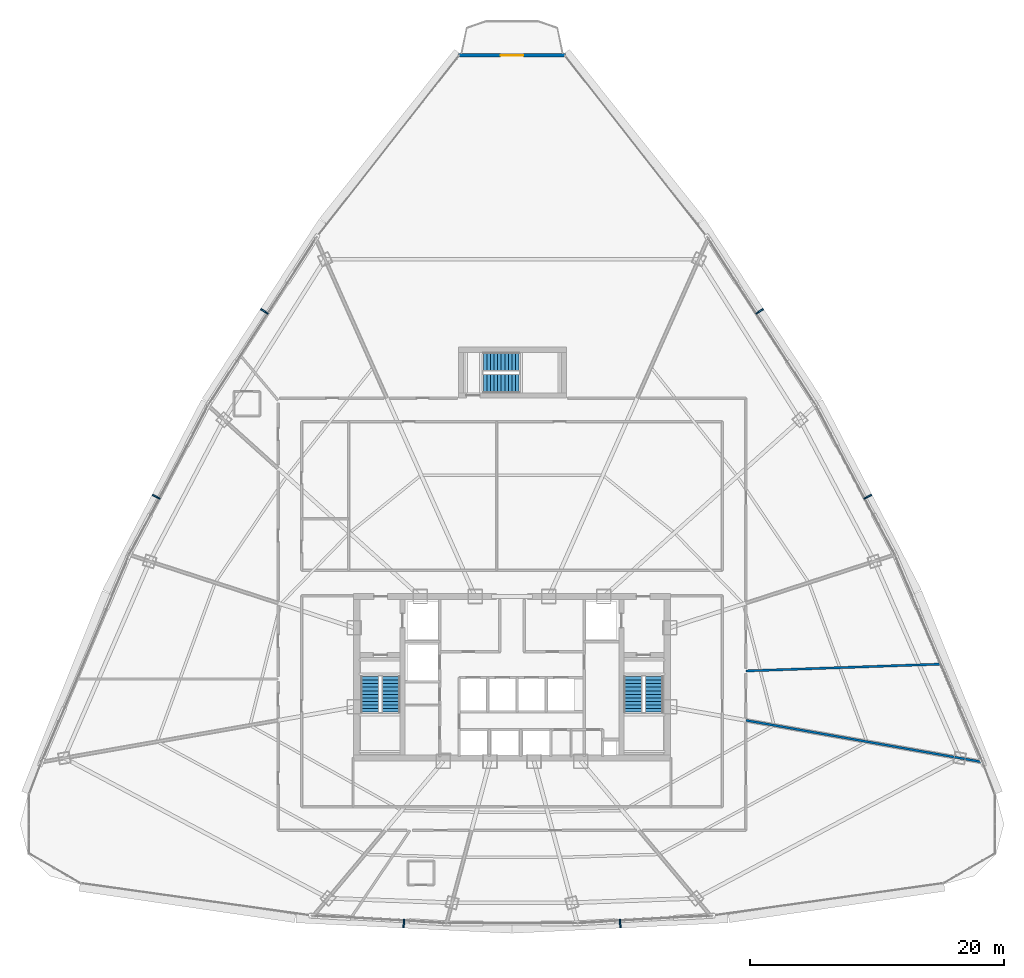
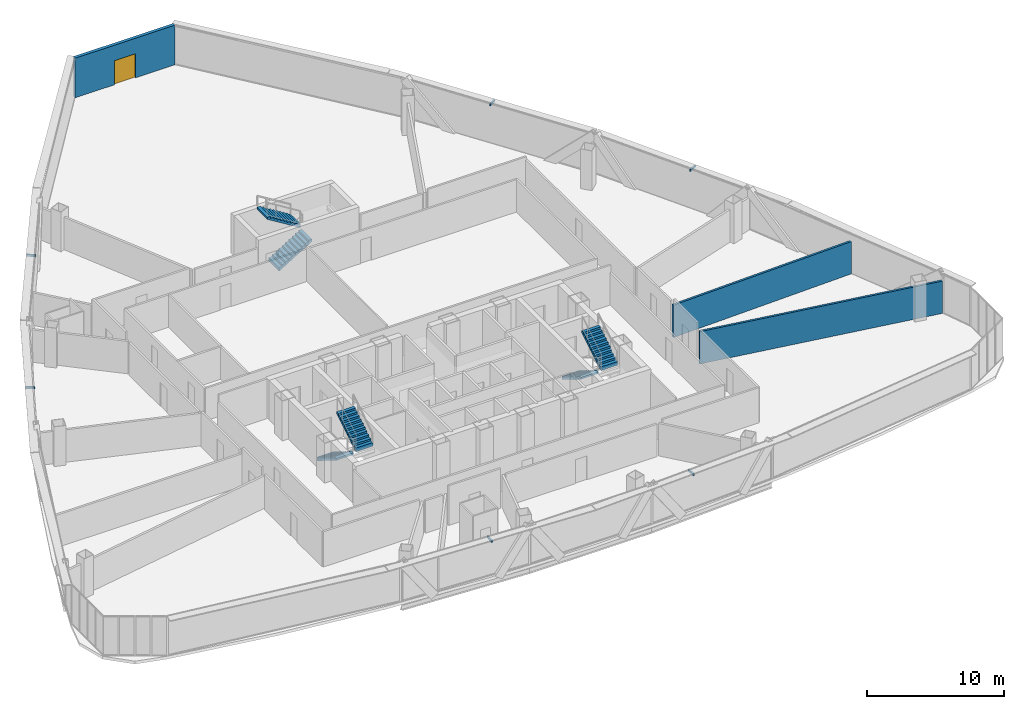
# One storey, part 34 of 38: 6 discrete accessories, 6 stair flights, 3 walls, 1 door, 1 opening, 3 elements without a shape of their own.
"""IFC4 building model written with IfcOpenShell, lengths in metres."""

from ifc_helpers import new_model, si_unit, direction, frame, frame_2d, origin, origin_with_axes, origin_2d, place, context, subcontext, project, spatial, polyline, rectangle, outline, extrude, source, transform, mapped, material, layer, layer_set, type_object, element, fill, aggregate, save


model = new_model("IFC4")

# Units and contexts
model_context = context("Model", 3, precision=1e-05, world=origin(), true_north=direction((0.0, 1.0)))
body_context = subcontext(model_context, "Body", "Model", "MODEL_VIEW")
ifc_project = project(units=[si_unit("LENGTHUNIT", "METRE"), si_unit("AREAUNIT", "SQUARE_METRE"), si_unit("VOLUMEUNIT", "CUBIC_METRE"), si_unit("PLANEANGLEUNIT", "RADIAN"), si_unit("MASSUNIT", "GRAM", prefix="KILO"), si_unit("THERMODYNAMICTEMPERATUREUNIT", "KELVIN"), si_unit("POWERUNIT", "WATT")], contexts=[model_context])

# Site, building, storey
site_placement = place(None, origin())
site = spatial("IfcSite", under=ifc_project, at=site_placement, CompositionType="ELEMENT")
building_placement = place(site_placement, origin())
building = spatial("IfcBuilding", under=site, at=building_placement, Name="Yunzhuo Pagoda Commons", CompositionType="ELEMENT")
storey_placement = place(building_placement, frame((0.0, 0.0, 203.760009765625)))
storey = spatial("IfcBuildingStorey", under=building, at=storey_placement, Name="L51", CompositionType="ELEMENT", Elevation=203.760009765625)

# Wall, opening, door
ifc_material_1 = material(Name="Precast concrete C40", Category="concrete")
ifc_layer_1 = layer(ifc_material_1, 0.260009765625)
ifc_layer_set_1 = layer_set([ifc_layer_1], Name="Precast concrete C40")
wall_type_1 = type_object("IfcWallType", Name="W-BAL1 Corner Balcony Threshold Wall 260", PredefinedType="STANDARD", material=ifc_layer_set_1)
wall_1_placement = place(storey_placement, frame((52.209716796875, 82.75244140625, 0.0), z_axis=(0.0, 0.0, 1.0), x_axis=(-1.0, 0.0, 0.0)))
wall_1 = element("IfcWall", 1, at=wall_1_placement, inside=storey, type_object=wall_type_1, Name="L51 corner balcony wall V3", PredefinedType="STANDARD", context=body_context, shape_type="SweptSolid", body=[
    extrude(rectangle(XDim=8.41943359375, YDim=0.260009765625, at=frame_2d((4.209716796875, 0.0))), origin(), (0.0, 0.0, 1.0), 3.5400390625),
])
opening_placement = place(wall_1_placement, frame((3.309814453125, 0.0, 0.0)))
opening = element("IfcOpeningElement", 2, at=opening_placement, cuts=wall_1, Name="Opening D-BAL1", PredefinedType="OPENING", context=body_context, shape_type="SweptSolid", body=[
    extrude(rectangle(XDim=1.800048828125, YDim=2.14990234375, at=frame_2d((0.89990234375, 1.074951171875))), frame((0.0, 0.14013671875, 0.0), z_axis=(0.0, -1.0, 0.0), x_axis=(1.0, 0.0, 0.0)), (0.0, 0.0, 1.0), 0.280029296875),
])
ifc_material_2 = material(Name="Anodized aluminium frame and tempered glazed leaf", Category="aluminium")
door_type = type_object("IfcDoorType", Name="D-BAL1 Corner Balcony Sliding Glazed Door 1800x2150", OperationType="DOUBLE_DOOR_SLIDING", PredefinedType="DOOR", material=ifc_material_2)
shared_shape_1 = source(origin(), body_context, "Body", "SweptSolid", [
    extrude(rectangle(XDim=1.800048828125, YDim=2.14990234375, at=frame_2d((0.89990234375, 1.074951171875))), frame((0.0, 0.02490234375, 0.0), z_axis=(0.0, -1.0, 0.0), x_axis=(1.0, 0.0, 0.0)), (0.0, 0.0, 1.0), 0.050048828125),
])
door_placement = place(opening_placement, origin_with_axes())
door = element("IfcDoor", 3, at=door_placement, inside=storey, type_object=door_type, Name="L51 corner balcony sliding door V3", OperationType="DOUBLE_DOOR_SLIDING", OverallHeight=2.14990234375, OverallWidth=1.800048828125, PredefinedType="DOOR", context=body_context, shape_type="MappedRepresentation", body=[
    mapped(shared_shape_1, transform((0.0, 0.0, 0.0), scale=1.0)),
])
fill(opening, door)

# Walls
ifc_material_3 = material(Name="Gypsum plasterboard on acoustic stud")
ifc_layer_2 = layer(ifc_material_3, 0.175048828125)
ifc_layer_set_2 = layer_set([ifc_layer_2], Name="Gypsum plasterboard on acoustic stud")
wall_type_2 = type_object("IfcWallType", Name="W-PRT3 Mid-Zone Demising Wall 175", PredefinedType="PARTITIONING", material=ifc_layer_set_2)
wall_2_placement = place(storey_placement, frame((66.39990234375, 34.342529296875, 0.0), z_axis=(0.0, 0.0, 1.0), x_axis=(0.999390706755, 0.034902940442, 0.0)))
element("IfcWall", 4, at=wall_2_placement, inside=storey, type_object=wall_type_2, Name="L51 interior wall IW-L51-RAD01", PredefinedType="PARTITIONING", context=body_context, shape_type="SweptSolid", body=[
    extrude(rectangle(XDim=15.360595703125, YDim=0.175048828125, at=frame_2d((7.68017578125, 0.0))), origin(), (0.0, 0.0, 1.0), 2.889892578125),
])
wall_3_placement = place(storey_placement, frame((66.39990234375, 30.45556640625, 0.0), z_axis=(0.0, 0.0, 1.0), x_axis=(0.984807864876, -0.173647543254, 0.0)))
element("IfcWall", 5, at=wall_3_placement, inside=storey, type_object=wall_type_2, Name="L51 interior wall IW-L51-RAD14", PredefinedType="PARTITIONING", context=body_context, shape_type="SweptSolid", body=[
    extrude(rectangle(XDim=18.901611328125, YDim=0.175048828125, at=frame_2d((9.45068359375, 0.0))), origin(), (0.0, 0.0, 1.0), 2.889892578125),
])

# Stair, stair flights
ifc_material_4 = material(Name="Concrete C40", Category="concrete")
stair_type_1 = type_object("IfcStairType", Name="ST-C1 Core Smokeproof Stair ST1", PredefinedType="HALF_TURN_STAIR", material=ifc_material_4)
stair_1_placement = place(storey_placement, origin())
stair_1 = element("IfcStair", 6, at=stair_1_placement, inside=storey, type_object=stair_type_1, Name="L51 Core smokeproof stair ST1", PredefinedType="HALF_TURN_STAIR")
stair_flight_type_1 = type_object("IfcStairFlightType", Name="STF-C1 Core Stair Flight 1450", PredefinedType="STRAIGHT", material=ifc_material_4)
shared_shape_2 = source(origin(), body_context, "Body", "SweptSolid", [
    extrude(outline(polyline([(0.0, -0.14990234375), (0.0, 0.0), (0.0, 0.172607421875), (0.280029296875, 0.172607421875), (0.280029296875, 0.345458984375), (0.56005859375, 0.345458984375), (0.56005859375, 0.51806640625), (0.840087890625, 0.51806640625), (0.840087890625, 0.69091796875), (1.1201171875, 0.69091796875), (1.1201171875, 0.863525390625), (1.39990234375, 0.863525390625), (1.39990234375, 1.036376953125), (1.679931640625, 1.036376953125), (1.679931640625, 1.208984375), (1.9599609375, 1.208984375), (1.9599609375, 1.3818359375), (2.239990234375, 1.3818359375), (2.239990234375, 1.554443359375), (2.52001953125, 1.554443359375), (2.52001953125, 1.727294921875), (2.800048828125, 1.727294921875), (2.800048828125, 1.89990234375), (2.800048828125, 1.551025390625), (0.285400390625, 0.0), (0.050048828125, -0.14990234375), (0.0, -0.14990234375)])), frame((0.0, 0.72509765625, 0.0), z_axis=(0.0, -1.0, 0.0), x_axis=(1.0, 0.0, 0.0)), (0.0, 0.0, 1.0), 1.449951171875),
])
stair_flight_1_placement = place(storey_placement, frame((36.824951171875, 33.89990234375, 0.0), z_axis=(0.0, 0.0, 1.0), x_axis=(0.0, -1.0, 0.0)))
stair_flight_1 = element("IfcStairFlight", 7, at=stair_flight_1_placement, type_object=stair_flight_type_1, Name="ST1 flight 1", NumberOfRisers=11, NumberOfTreads=10, PredefinedType="STRAIGHT", RiserHeight=0.172727273, TreadLength=0.28, context=body_context, shape_type="MappedRepresentation", body=[
    mapped(shared_shape_2, transform((0.0, 0.0, 0.0), scale=1.0)),
])
stair_flight_2_placement = place(storey_placement, frame((38.47509765625, 31.10009765625, 1.89990234375), z_axis=(0.0, 0.0, 1.0), x_axis=(0.0, 1.0, 0.0)))
stair_flight_2 = element("IfcStairFlight", 8, at=stair_flight_2_placement, type_object=stair_flight_type_1, Name="ST1 flight 2", NumberOfRisers=11, NumberOfTreads=10, PredefinedType="STRAIGHT", RiserHeight=0.172727273, TreadLength=0.28, context=body_context, shape_type="MappedRepresentation", body=[
    mapped(shared_shape_2, transform((0.0, 0.0, 0.0), scale=1.0)),
])
aggregate(stair_1, [stair_flight_1, stair_flight_2])

stair_type_2 = type_object("IfcStairType", Name="ST-C2 Core Smokeproof Stair ST2", PredefinedType="HALF_TURN_STAIR", material=ifc_material_4)
stair_2_placement = place(storey_placement, origin())
stair_2 = element("IfcStair", 9, at=stair_2_placement, inside=storey, type_object=stair_type_2, Name="L51 Core smokeproof stair ST2", PredefinedType="HALF_TURN_STAIR")
stair_flight_type_2 = type_object("IfcStairFlightType", Name="STF-C2 Core Stair Flight 1460", PredefinedType="STRAIGHT", material=ifc_material_4)
stair_flight_3_placement = place(storey_placement, frame((57.52490234375, 33.89990234375, 0.0), z_axis=(0.0, 0.0, 1.0), x_axis=(0.0, -1.0, 0.0)))
stair_flight_3 = element("IfcStairFlight", 10, at=stair_flight_3_placement, type_object=stair_flight_type_2, Name="ST2 flight 1", NumberOfRisers=11, NumberOfTreads=10, PredefinedType="STRAIGHT", RiserHeight=0.172727273, TreadLength=0.28, context=body_context, shape_type="MappedRepresentation", body=[
    mapped(shared_shape_2, transform((0.0, 0.0, 0.0), scale=1.0)),
])
stair_flight_4_placement = place(storey_placement, frame((59.175048828125, 31.10009765625, 1.89990234375), z_axis=(0.0, 0.0, 1.0), x_axis=(0.0, 1.0, 0.0)))
stair_flight_4 = element("IfcStairFlight", 11, at=stair_flight_4_placement, type_object=stair_flight_type_2, Name="ST2 flight 2", NumberOfRisers=11, NumberOfTreads=10, PredefinedType="STRAIGHT", RiserHeight=0.172727273, TreadLength=0.28, context=body_context, shape_type="MappedRepresentation", body=[
    mapped(shared_shape_2, transform((0.0, 0.0, 0.0), scale=1.0)),
])
aggregate(stair_2, [stair_flight_3, stair_flight_4])

stair_type_3 = type_object("IfcStairType", Name="ST-C3 North Tower Smokeproof Stair ST3", PredefinedType="HALF_TURN_STAIR", material=ifc_material_4)
stair_3_placement = place(storey_placement, origin())
stair_3 = element("IfcStair", 12, at=stair_3_placement, inside=storey, type_object=stair_type_3, Name="L51 North tower smokeproof stair ST3", PredefinedType="HALF_TURN_STAIR")
stair_flight_type_3 = type_object("IfcStairFlightType", Name="STF-C3 North Stair Flight 1500", PredefinedType="STRAIGHT", material=ifc_material_4)
shared_shape_3 = source(origin(), body_context, "Body", "SweptSolid", [
    extrude(outline(polyline([(0.0, -0.14990234375), (0.0, 0.0), (0.0, 0.172607421875), (0.280029296875, 0.172607421875), (0.280029296875, 0.345458984375), (0.56005859375, 0.345458984375), (0.56005859375, 0.51806640625), (0.840087890625, 0.51806640625), (0.840087890625, 0.69091796875), (1.1201171875, 0.69091796875), (1.1201171875, 0.863525390625), (1.39990234375, 0.863525390625), (1.39990234375, 1.036376953125), (1.679931640625, 1.036376953125), (1.679931640625, 1.208984375), (1.9599609375, 1.208984375), (1.9599609375, 1.3818359375), (2.239990234375, 1.3818359375), (2.239990234375, 1.554443359375), (2.52001953125, 1.554443359375), (2.52001953125, 1.727294921875), (2.800048828125, 1.727294921875), (2.800048828125, 1.89990234375), (2.800048828125, 1.551025390625), (0.285400390625, 0.0), (0.050048828125, -0.14990234375), (0.0, -0.14990234375)])), frame((0.0, 0.75, 0.0), z_axis=(0.0, -1.0, 0.0), x_axis=(1.0, 0.0, 0.0)), (0.0, 0.0, 1.0), 1.5),
])
stair_flight_5_placement = place(storey_placement, frame((45.75, 56.949951171875, 0.0), z_axis=(0.0, 0.0, 1.0), x_axis=(1.0, 0.0, 0.0)))
stair_flight_5 = element("IfcStairFlight", 13, at=stair_flight_5_placement, type_object=stair_flight_type_3, Name="ST3 flight 1", NumberOfRisers=11, NumberOfTreads=10, PredefinedType="STRAIGHT", RiserHeight=0.172727273, TreadLength=0.28, context=body_context, shape_type="MappedRepresentation", body=[
    mapped(shared_shape_3, transform((0.0, 0.0, 0.0), scale=1.0)),
])
stair_flight_6_placement = place(storey_placement, frame((48.550048828125, 58.64990234375, 1.89990234375), z_axis=(0.0, 0.0, 1.0), x_axis=(-1.0, 0.0, 0.0)))
stair_flight_6 = element("IfcStairFlight", 14, at=stair_flight_6_placement, type_object=stair_flight_type_3, Name="ST3 flight 2", NumberOfRisers=11, NumberOfTreads=10, PredefinedType="STRAIGHT", RiserHeight=0.172727273, TreadLength=0.28, context=body_context, shape_type="MappedRepresentation", body=[
    mapped(shared_shape_3, transform((0.0, 0.0, 0.0), scale=1.0)),
])
aggregate(stair_3, [stair_flight_5, stair_flight_6])

# Discrete accessories
ifc_material_5 = material(Name="Anodized aluminium 6063-T6", Category="aluminium")
discrete_accessory_type = type_object("IfcDiscreteAccessoryType", Name="BK-SUN1 Sunshade Outrigger Bracket", PredefinedType="BRACKET", material=ifc_material_5)
shared_shape_4 = source(origin(), body_context, "Body", "SweptSolid", [
    extrude(rectangle(XDim=0.1201171875, YDim=0.679931640625, at=origin_2d()), origin(), (0.0, 0.0, 1.0), 0.179931640625),
])
for number, where, z_axis, x_axis, name in (
    (15, (39.49267578125, 14.48828125, 3.330078125), (0.0, 0.0, 1.0), (0.998818043775, -0.04860571396, 0.0), "L51 sunshade outrigger bracket F1.2"),
    (16, (56.50732421875, 14.48828125, 3.330078125), (0.0, 0.0, 1.0), (0.998818043775, 0.04860571396, 0.0), "L51 sunshade outrigger bracket F1.3"),
    (17, (75.981201171875, 48.04052734375, 3.330078125), (0.0, 0.0, 1.0), (-0.461206683033, 0.88729273384, 0.0), "L51 sunshade outrigger bracket F2.2"),
    (18, (67.4736328125, 62.614990234375, 3.330078125), (0.0, 0.0, 1.0), (-0.545838756973, 0.837890238269, 0.0), "L51 sunshade outrigger bracket F2.3"),
    (19, (28.5263671875, 62.614990234375, 3.330078125), (0.0, 0.0, 1.0), (-0.545838756973, -0.837890238269, 0.0), "L51 sunshade outrigger bracket F3.2"),
    (20, (20.018798828125, 48.04052734375, 3.330078125), (0.0, 0.0, 1.0), (-0.461206683033, -0.88729273384, 0.0), "L51 sunshade outrigger bracket F3.3"),
):
    element("IfcDiscreteAccessory", number, at=place(storey_placement, frame(where, z_axis=z_axis, x_axis=x_axis)), inside=storey, type_object=discrete_accessory_type, Name=name, PredefinedType="BRACKET", context=body_context, shape_type="MappedRepresentation", body=[
        mapped(shared_shape_4, transform((0.0, 0.0, 0.0), scale=1.0)),
    ])

save(model, "model.ifc")
